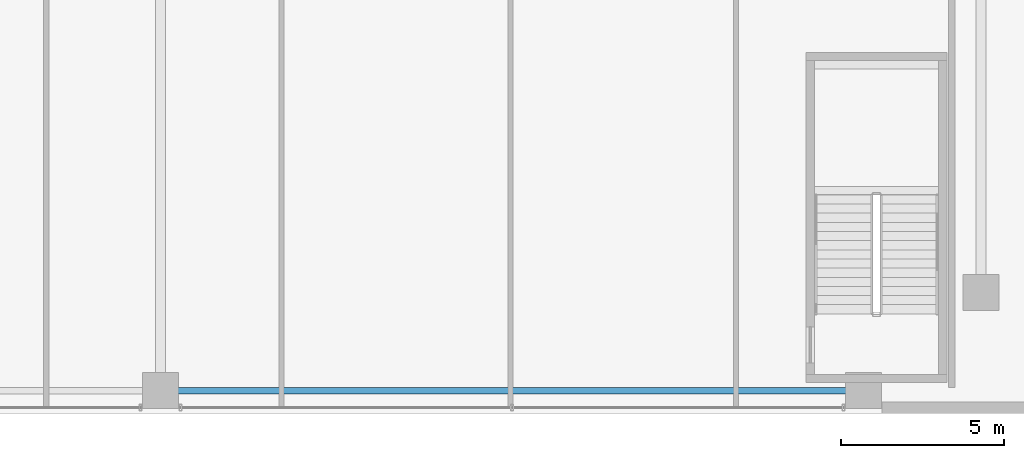
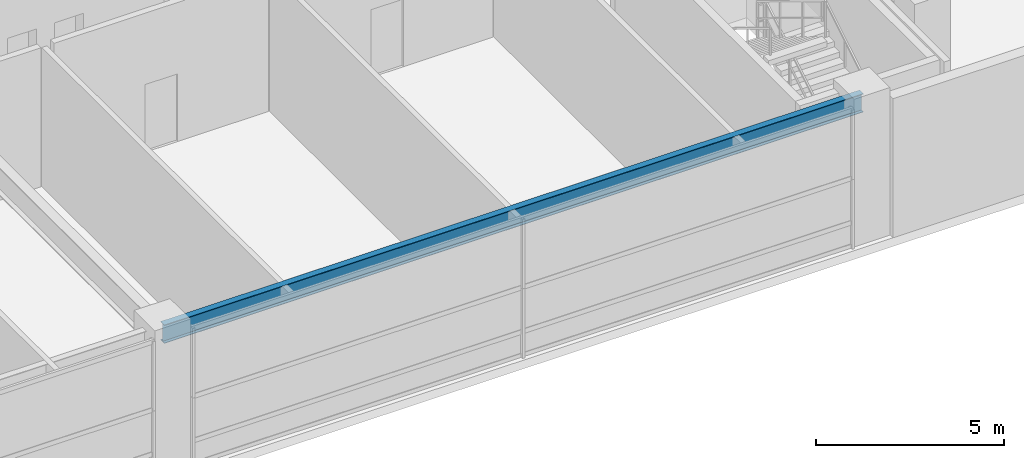
# One storey, part 12 of 39: 1 beam.
"""IFC4 building model written with IfcOpenShell, lengths in metres."""

from ifc_helpers import new_model, si_unit, direction, frame, origin, origin_2d, place, context, subcontext, project, spatial, i_section, extrude, source, transform, mapped, material, material_profile, profile_set, type_object, element, save


model = new_model("IFC4")

# Units and contexts
model_context = context("Model", 3, precision=1e-05, world=origin(), true_north=direction((0.0, 1.0)))
body_context = subcontext(model_context, "Body", "Model", "MODEL_VIEW")
ifc_project = project(units=[si_unit("LENGTHUNIT", "METRE"), si_unit("AREAUNIT", "SQUARE_METRE"), si_unit("VOLUMEUNIT", "CUBIC_METRE"), si_unit("PLANEANGLEUNIT", "RADIAN"), si_unit("MASSUNIT", "GRAM", prefix="KILO"), si_unit("THERMODYNAMICTEMPERATUREUNIT", "KELVIN"), si_unit("POWERUNIT", "WATT")], contexts=[model_context])

# Site, building, storey
site_placement = place(None, origin())
site = spatial("IfcSite", under=ifc_project, at=site_placement, CompositionType="ELEMENT")
building_placement = place(site_placement, origin())
building = spatial("IfcBuilding", under=site, at=building_placement, Name="Yuzanri Waterfront Tower", CompositionType="ELEMENT")
storey_placement = place(building_placement, frame((0.0, 0.0, 15.0)))
storey = spatial("IfcBuildingStorey", under=building, at=storey_placement, Name="L04", CompositionType="ELEMENT", Elevation=15.0)

# Beam
ifc_material = material(Name="Steel Q355B", Category="steel")
ifc_material_profile = material_profile(ifc_material, i_section(OverallWidth=0.199951171875, OverallDepth=0.60009765625, WebThickness=0.010986328125, FlangeThickness=0.01708984375, at=origin_2d()), Name="HN 600x200x11x17")
ifc_profile_set = profile_set([ifc_material_profile], Name="Steel Q355B")
beam_type = type_object("IfcBeamType", Name="Perimeter Spandrel Q355B HN 600x200", PredefinedType="SPANDREL", material=ifc_profile_set)
shared_shape = source(origin(), body_context, "Body", "SweptSolid", [
    extrude(i_section(OverallWidth=0.199951171875, OverallDepth=0.60009765625, WebThickness=0.010986328125, FlangeThickness=0.01708984375, at=origin_2d()), origin(), (0.0, 0.0, 1.0), 21.5),
])
beam_placement = place(storey_placement, frame((37.0, 2.5, 4.219970703125), z_axis=(1.0, 0.0, 0.0), x_axis=(0.0, 1.0, 0.0)))
element("IfcBeam", 1, at=beam_placement, inside=storey, type_object=beam_type, Name="L04 South Spandrel 2", PredefinedType="SPANDREL", context=body_context, shape_type="MappedRepresentation", body=[
    mapped(shared_shape, transform((0.0, 0.0, 0.0), scale=1.0)),
])

save(model, "model.ifc")
